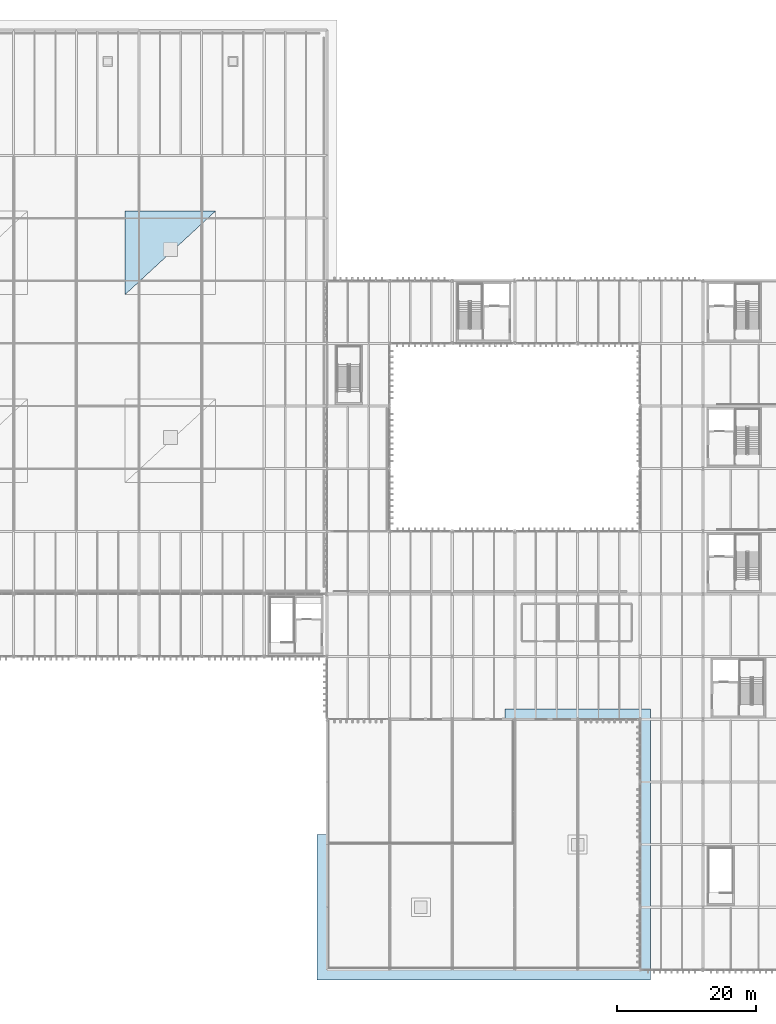
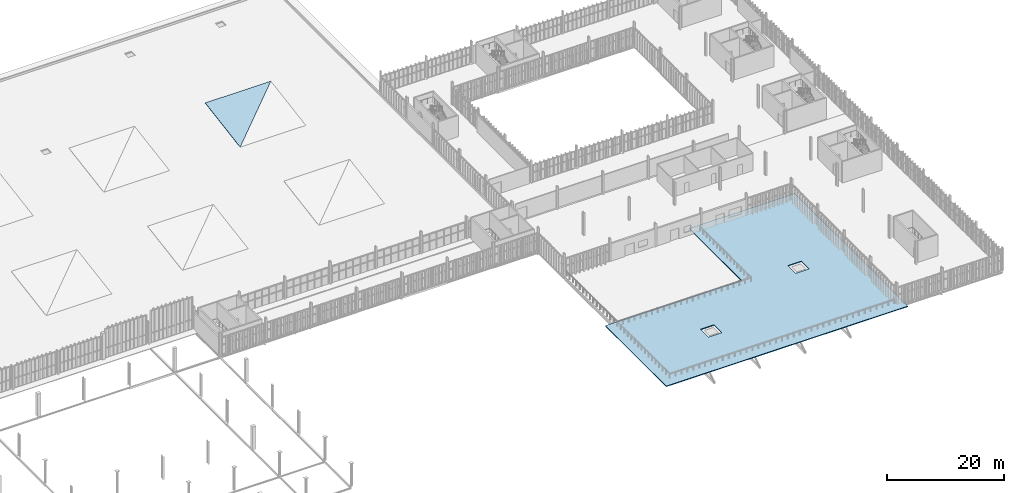
# One storey, part 184 of 196: 2 roofs.
"""IFC4 building model written with IfcOpenShell, lengths in metres."""

from ifc_helpers import new_model, si_unit, direction, frame, origin, place, context, subcontext, project, spatial, polyline, outline, extrude, material, layer, layer_set, type_object, element, save


model = new_model("IFC4")

# Units and contexts
model_context = context("Model", 3, precision=1e-05, world=origin(), true_north=direction((0.0, 1.0)))
body_context = subcontext(model_context, "Body", "Model", "MODEL_VIEW")
ifc_project = project(units=[si_unit("LENGTHUNIT", "METRE"), si_unit("AREAUNIT", "SQUARE_METRE"), si_unit("VOLUMEUNIT", "CUBIC_METRE"), si_unit("PLANEANGLEUNIT", "RADIAN"), si_unit("MASSUNIT", "GRAM", prefix="KILO")], contexts=[model_context])

# Site, building, storey
site_placement = place(None, origin())
site = spatial("IfcSite", under=ifc_project, at=site_placement, CompositionType="ELEMENT")
building_placement = place(site_placement, origin())
building = spatial("IfcBuilding", under=site, at=building_placement, Name="Barlavento Convention Centre", CompositionType="ELEMENT")
storey_placement = place(building_placement, frame((0.0, 0.0, 18.0)))
storey = spatial("IfcBuildingStorey", under=building, at=storey_placement, Name="L03", CompositionType="ELEMENT", Elevation=18.0)

# Roofs
ifc_material_1 = material(Name="PVDF standing-seam aluminium roof deck", Category="aluminium")
ifc_layer_1 = layer(ifc_material_1, 0.050048828125)
ifc_layer_set_1 = layer_set([ifc_layer_1], Name="ARC-ROOF-CONG-FREE")
roof_type_1 = type_object("IfcRoofType", Name="ARC-ROOF-CONG-FREE", PredefinedType="FREEFORM", material=ifc_layer_set_1)
roof_1_placement = place(storey_placement, frame((97.0, 97.0, 0.159912109375), z_axis=(0.0, -0.163598265215, 0.986527043531), x_axis=(0.730198743554, 0.674029609434, 0.111776028371)))
element("IfcRoof", 1, at=roof_1_placement, inside=storey, type_object=roof_type_1, Name="Exhibition north-light monitor roof", PredefinedType="FREEFORM", context=body_context, shape_type="SweptSolid", body=[
    extrude(outline(polyline([(0.0, 0.0), (17.80337218430564, 2.1094237467877974e-15), (8.310788518106719, 8.88205242836437), (0.0, 0.0)])), origin(), (0.0, 0.0, -1.0), 0.080078125),
])
ifc_material_2 = material(Name="Insulated waterproof flat roof deck", Category="concrete")
ifc_layer_2 = layer(ifc_material_2, 0.050048828125)
ifc_layer_set_2 = layer_set([ifc_layer_2], Name="ARC-ROOF-FLAT-WING")
roof_type_2 = type_object("IfcRoofType", Name="ARC-ROOF-FLAT-WING", PredefinedType="FLAT_ROOF", material=ifc_layer_set_2)
roof_2_placement = place(storey_placement, origin())
element("IfcRoof", 2, at=roof_2_placement, inside=storey, type_object=roof_type_2, Name="V3 horizontal roof deck RS-302", PredefinedType="FLAT_ROOF", context=body_context, shape_type="SweptSolid", body=[
    extrude(outline(polyline([(124.550048828125, -1.449951171875), (124.550048828125, 19.449951171875), (151.550048828125, 19.449951171875), (151.550048828125, 37.449951171875), (172.449951171875, 37.449951171875), (172.449951171875, -1.449951171875), (124.550048828125, -1.449951171875)]), holes=[polyline([(138.14990234375, 7.64990234375), (140.85009765625, 7.64990234375), (140.85009765625, 10.35009765625), (138.14990234375, 10.35009765625), (138.14990234375, 7.64990234375)]), polyline([(160.64990234375, 16.64990234375), (163.35009765625, 16.64990234375), (163.35009765625, 19.35009765625), (160.64990234375, 19.35009765625), (160.64990234375, 16.64990234375)])]), origin(), (0.0, 0.0, 1.0), 0.159912109375),
])

save(model, "model.ifc")
